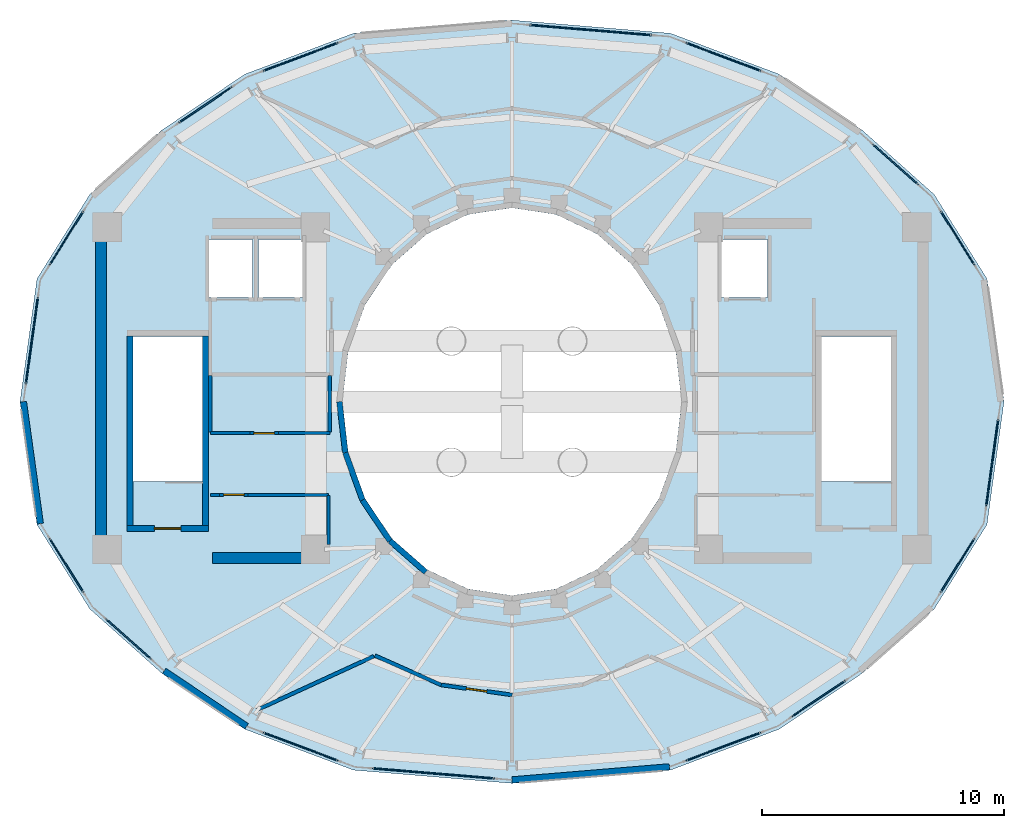
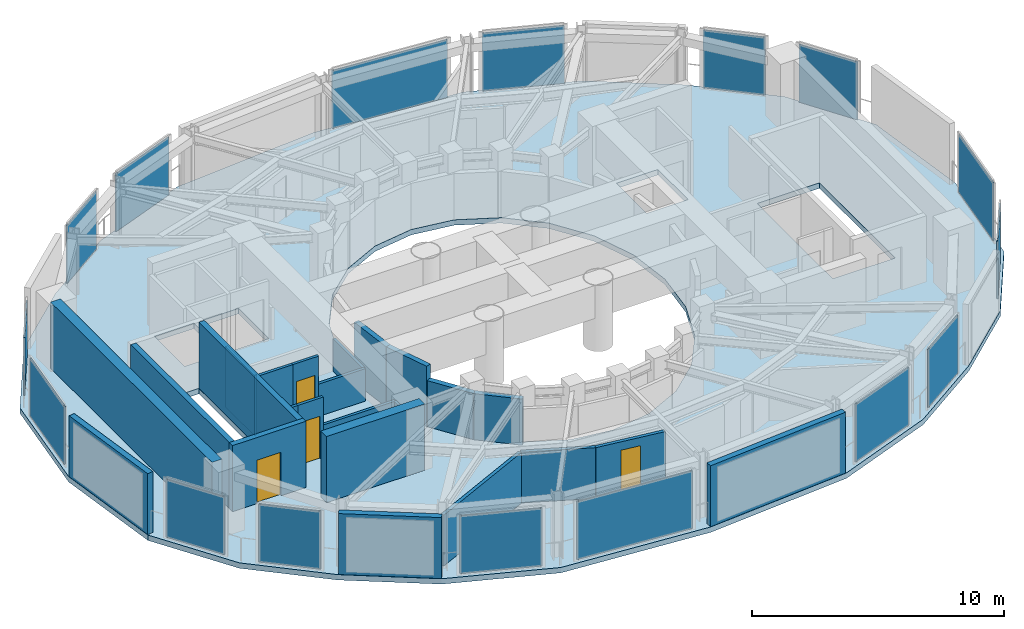
# One storey, part 14 of 17: 24 walls, 16 plates, 4 doors, 1 slab, 4 openings, 16 elements without a shape of their own.
"""IFC4 building model written with IfcOpenShell, lengths in metres."""

from ifc_helpers import new_model, si_unit, direction, frame, frame_2d, origin, origin_2d, place, context, subcontext, project, spatial, polyline, rectangle, outline, extrude, material, layer, layer_set, type_object, element, fill, aggregate, save


model = new_model("IFC4")

# Units and contexts
model_context = context("Model", 3, precision=1e-05, world=origin(), true_north=direction((0.0, 1.0)))
body_context = subcontext(model_context, "Body", "Model", "MODEL_VIEW")
ifc_project = project(units=[si_unit("LENGTHUNIT", "METRE"), si_unit("AREAUNIT", "SQUARE_METRE"), si_unit("VOLUMEUNIT", "CUBIC_METRE"), si_unit("PLANEANGLEUNIT", "RADIAN"), si_unit("MASSUNIT", "GRAM", prefix="KILO")], contexts=[model_context])

# Site, building, storey
site_placement = place(None, origin())
site = spatial("IfcSite", under=ifc_project, at=site_placement, CompositionType="ELEMENT")
building_placement = place(site_placement, origin())
building = spatial("IfcBuilding", under=site, at=building_placement, Name="Solvane Sanctuary Tower", CompositionType="ELEMENT")
storey_placement = place(building_placement, frame((0.0, 0.0, 276.39990234375)))
storey = spatial("IfcBuildingStorey", under=building, at=storey_placement, Name="L84", CompositionType="ELEMENT", Elevation=276.39990234375)

# Curtain wall, plate
ifc_material_1 = material(Name="Anodised Aluminium 6063-T6", Category="aluminium")
ifc_layer_1 = layer(ifc_material_1, 0.219970703125, Name="Anodised Aluminium 6063-T6")
ifc_layer_set_1 = layer_set([ifc_layer_1], Name="Anodised Aluminium 6063-T6")
curtain_wall_type = type_object("IfcCurtainWallType", Name="Curtain Wall CW-CROWN", PredefinedType="NOTDEFINED", material=ifc_layer_set_1)
curtain_wall_1_placement = place(storey_placement, origin())
curtain_wall_1 = element("IfcCurtainWall", 1, at=curtain_wall_1_placement, inside=storey, type_object=curtain_wall_type, Name="L84 Crown Fritted Lantern Curtain Wall 01", PredefinedType="NOTDEFINED")
ifc_material_2 = material(Name="Acoustic Spandrel Glass", Category="glass")
ifc_layer_2 = layer(ifc_material_2, 0.052001953125, Name="Acoustic Spandrel Glass")
ifc_layer_set_2 = layer_set([ifc_layer_2], Name="Acoustic Spandrel Glass")
plate_type = type_object("IfcPlateType", Name="Plate PN-SPANDREL", PredefinedType="CURTAIN_PANEL", material=ifc_layer_set_2)
plate_1_placement = place(storey_placement, frame((50.3828125, 29.750732421875, 0.0751953125), z_axis=(0.0, 0.0, 1.0), x_axis=(-0.531391439909, 0.847126400009, 0.0)))
plate_1 = element("IfcPlate", 2, at=plate_1_placement, type_object=plate_type, Name="CW-CROWN panel 1.1", PredefinedType="CURTAIN_PANEL", context=body_context, shape_type="SweptSolid", body=[
    extrude(rectangle(XDim=2.617919921875, YDim=0.052001953125, at=origin_2d()), origin(), (0.0, 0.0, 1.0), 2.800048828125),
])
aggregate(curtain_wall_1, [plate_1])

curtain_wall_2_placement = place(storey_placement, origin())
curtain_wall_2 = element("IfcCurtainWall", 3, at=curtain_wall_2_placement, inside=storey, type_object=curtain_wall_type, Name="L84 Crown Fritted Lantern Curtain Wall 02", PredefinedType="NOTDEFINED")
plate_2_placement = place(storey_placement, frame((47.824951171875, 32.789794921875, 0.0751953125), z_axis=(0.0, 0.0, 1.0), x_axis=(-0.746551067143, 0.665328117659, 0.0)))
plate_2 = element("IfcPlate", 4, at=plate_2_placement, type_object=plate_type, Name="CW-CROWN panel 1.1", PredefinedType="CURTAIN_PANEL", context=body_context, shape_type="SweptSolid", body=[
    extrude(rectangle(XDim=2.5068359375, YDim=0.052001953125, at=origin_2d()), origin(), (0.0, 0.0, 1.0), 2.800048828125),
])
aggregate(curtain_wall_2, [plate_2])

curtain_wall_3_placement = place(storey_placement, origin())
curtain_wall_3 = element("IfcCurtainWall", 5, at=curtain_wall_3_placement, inside=storey, type_object=curtain_wall_type, Name="L84 Crown Fritted Lantern Curtain Wall 04", PredefinedType="NOTDEFINED")
plate_3_placement = place(storey_placement, frame((40.72119140625, 37.229248046875, 0.0751953125), z_axis=(0.0, 0.0, 1.0), x_axis=(-0.936070873433, 0.351811483483, 0.0)))
plate_3 = element("IfcPlate", 6, at=plate_3_placement, type_object=plate_type, Name="CW-CROWN panel 1.1", PredefinedType="CURTAIN_PANEL", context=body_context, shape_type="SweptSolid", body=[
    extrude(rectangle(XDim=3.305908203125, YDim=0.052001953125, at=origin_2d()), origin(), (0.0, 0.0, 1.0), 2.800048828125),
])
aggregate(curtain_wall_3, [plate_3])

curtain_wall_4_placement = place(storey_placement, origin())
curtain_wall_4 = element("IfcCurtainWall", 7, at=curtain_wall_4_placement, inside=storey, type_object=curtain_wall_type, Name="L84 Crown Fritted Lantern Curtain Wall 05", PredefinedType="NOTDEFINED")
plate_4_placement = place(storey_placement, frame((35.24755859375, 38.33544921875, 0.0751953125), z_axis=(0.0, 0.0, 1.0), x_axis=(-0.996572801909, 0.082720314892, 0.0)))
plate_4 = element("IfcPlate", 8, at=plate_4_placement, type_object=plate_type, Name="CW-CROWN panel 1.1", PredefinedType="CURTAIN_PANEL", context=body_context, shape_type="SweptSolid", body=[
    extrude(rectangle(XDim=5.067626953125, YDim=0.052001953125, at=origin_2d()), origin(), (0.0, 0.0, 1.0), 2.800048828125),
])
aggregate(curtain_wall_4, [plate_4])

curtain_wall_5_placement = place(storey_placement, origin())
curtain_wall_5 = element("IfcCurtainWall", 9, at=curtain_wall_5_placement, inside=storey, type_object=curtain_wall_type, Name="L84 Crown Fritted Lantern Curtain Wall 07", PredefinedType="NOTDEFINED")
plate_5_placement = place(storey_placement, frame((23.27880859375, 37.229248046875, 0.0751953125), z_axis=(0.0, 0.0, 1.0), x_axis=(-0.936070873433, -0.351811483483, 0.0)))
plate_5 = element("IfcPlate", 10, at=plate_5_placement, type_object=plate_type, Name="CW-CROWN panel 1.1", PredefinedType="CURTAIN_PANEL", context=body_context, shape_type="SweptSolid", body=[
    extrude(rectangle(XDim=3.305908203125, YDim=0.052001953125, at=origin_2d()), origin(), (0.0, 0.0, 1.0), 2.800048828125),
])
aggregate(curtain_wall_5, [plate_5])

curtain_wall_6_placement = place(storey_placement, origin())
curtain_wall_6 = element("IfcCurtainWall", 11, at=curtain_wall_6_placement, inside=storey, type_object=curtain_wall_type, Name="L84 Crown Fritted Lantern Curtain Wall 08", PredefinedType="NOTDEFINED")
plate_6_placement = place(storey_placement, frame((19.3525390625, 35.249267578125, 0.0751953125), z_axis=(0.0, 0.0, 1.0), x_axis=(-0.829883084682, -0.557937331389, 0.0)))
plate_6 = element("IfcPlate", 12, at=plate_6_placement, type_object=plate_type, Name="CW-CROWN panel 1.1", PredefinedType="CURTAIN_PANEL", context=body_context, shape_type="SweptSolid", body=[
    extrude(rectangle(XDim=2.64794921875, YDim=0.052001953125, at=origin_2d()), origin(), (0.0, 0.0, 1.0), 2.800048828125),
])
aggregate(curtain_wall_6, [plate_6])

curtain_wall_7_placement = place(storey_placement, origin())
curtain_wall_7 = element("IfcCurtainWall", 13, at=curtain_wall_7_placement, inside=storey, type_object=curtain_wall_type, Name="L84 Crown Fritted Lantern Curtain Wall 10", PredefinedType="NOTDEFINED")
plate_7_placement = place(storey_placement, frame((13.6171875, 29.750732421875, 0.0751953125), z_axis=(0.0, 0.0, 1.0), x_axis=(-0.531391439909, -0.847126400009, 0.0)))
plate_7 = element("IfcPlate", 14, at=plate_7_placement, type_object=plate_type, Name="CW-CROWN panel 1.1", PredefinedType="CURTAIN_PANEL", context=body_context, shape_type="SweptSolid", body=[
    extrude(rectangle(XDim=2.617919921875, YDim=0.052001953125, at=origin_2d()), origin(), (0.0, 0.0, 1.0), 2.800048828125),
])
aggregate(curtain_wall_7, [plate_7])

curtain_wall_8_placement = place(storey_placement, origin())
curtain_wall_8 = element("IfcCurtainWall", 15, at=curtain_wall_8_placement, inside=storey, type_object=curtain_wall_type, Name="L84 Crown Fritted Lantern Curtain Wall 11", PredefinedType="NOTDEFINED")
plate_8_placement = place(storey_placement, frame((12.188232421875, 25.513916015625, 0.0751953125), z_axis=(0.0, 0.0, 1.0), x_axis=(-0.137222624725, -0.990540232027, 0.0)))
plate_8 = element("IfcPlate", 16, at=plate_8_placement, type_object=plate_type, Name="CW-CROWN panel 1.1", PredefinedType="CURTAIN_PANEL", context=body_context, shape_type="SweptSolid", body=[
    extrude(rectangle(XDim=3.625732421875, YDim=0.052001953125, at=origin_2d()), origin(), (0.0, 0.0, 1.0), 2.800048828125),
])
aggregate(curtain_wall_8, [plate_8])

curtain_wall_9_placement = place(storey_placement, origin())
curtain_wall_9 = element("IfcCurtainWall", 17, at=curtain_wall_9_placement, inside=storey, type_object=curtain_wall_type, Name="L84 Crown Fritted Lantern Curtain Wall 13", PredefinedType="NOTDEFINED")
plate_9_placement = place(storey_placement, frame((13.6171875, 16.249267578125, 0.0751953125), z_axis=(0.0, 0.0, 1.0), x_axis=(0.531391439909, -0.847126400009, 0.0)))
plate_9 = element("IfcPlate", 18, at=plate_9_placement, type_object=plate_type, Name="CW-CROWN panel 1.1", PredefinedType="CURTAIN_PANEL", context=body_context, shape_type="SweptSolid", body=[
    extrude(rectangle(XDim=2.617919921875, YDim=0.052001953125, at=origin_2d()), origin(), (0.0, 0.0, 1.0), 2.800048828125),
])
aggregate(curtain_wall_9, [plate_9])

curtain_wall_10_placement = place(storey_placement, origin())
curtain_wall_10 = element("IfcCurtainWall", 19, at=curtain_wall_10_placement, inside=storey, type_object=curtain_wall_type, Name="L84 Crown Fritted Lantern Curtain Wall 14", PredefinedType="NOTDEFINED")
plate_10_placement = place(storey_placement, frame((16.175048828125, 13.210205078125, 0.0751953125), z_axis=(0.0, 0.0, 1.0), x_axis=(0.746551067143, -0.665328117659, 0.0)))
plate_10 = element("IfcPlate", 20, at=plate_10_placement, type_object=plate_type, Name="CW-CROWN panel 1.1", PredefinedType="CURTAIN_PANEL", context=body_context, shape_type="SweptSolid", body=[
    extrude(rectangle(XDim=2.5068359375, YDim=0.052001953125, at=origin_2d()), origin(), (0.0, 0.0, 1.0), 2.800048828125),
])
aggregate(curtain_wall_10, [plate_10])

curtain_wall_11_placement = place(storey_placement, origin())
curtain_wall_11 = element("IfcCurtainWall", 21, at=curtain_wall_11_placement, inside=storey, type_object=curtain_wall_type, Name="L84 Crown Fritted Lantern Curtain Wall 16", PredefinedType="NOTDEFINED")
plate_11_placement = place(storey_placement, frame((23.27880859375, 8.770751953125, 0.0751953125), z_axis=(0.0, 0.0, 1.0), x_axis=(0.936070873433, -0.351811483483, 0.0)))
plate_11 = element("IfcPlate", 22, at=plate_11_placement, type_object=plate_type, Name="CW-CROWN panel 1.1", PredefinedType="CURTAIN_PANEL", context=body_context, shape_type="SweptSolid", body=[
    extrude(rectangle(XDim=3.305908203125, YDim=0.052001953125, at=origin_2d()), origin(), (0.0, 0.0, 1.0), 2.800048828125),
])
aggregate(curtain_wall_11, [plate_11])

curtain_wall_12_placement = place(storey_placement, origin())
curtain_wall_12 = element("IfcCurtainWall", 23, at=curtain_wall_12_placement, inside=storey, type_object=curtain_wall_type, Name="L84 Crown Fritted Lantern Curtain Wall 17", PredefinedType="NOTDEFINED")
plate_12_placement = place(storey_placement, frame((28.75244140625, 7.66455078125, 0.0751953125), z_axis=(0.0, 0.0, 1.0), x_axis=(0.996572801909, -0.082720314892, 0.0)))
plate_12 = element("IfcPlate", 24, at=plate_12_placement, type_object=plate_type, Name="CW-CROWN panel 1.1", PredefinedType="CURTAIN_PANEL", context=body_context, shape_type="SweptSolid", body=[
    extrude(rectangle(XDim=5.067626953125, YDim=0.052001953125, at=origin_2d()), origin(), (0.0, 0.0, 1.0), 2.800048828125),
])
aggregate(curtain_wall_12, [plate_12])

curtain_wall_13_placement = place(storey_placement, origin())
curtain_wall_13 = element("IfcCurtainWall", 25, at=curtain_wall_13_placement, inside=storey, type_object=curtain_wall_type, Name="L84 Crown Fritted Lantern Curtain Wall 19", PredefinedType="NOTDEFINED")
plate_13_placement = place(storey_placement, frame((40.72119140625, 8.770751953125, 0.0751953125), z_axis=(0.0, 0.0, 1.0), x_axis=(0.936070873433, 0.351811483483, 0.0)))
plate_13 = element("IfcPlate", 26, at=plate_13_placement, type_object=plate_type, Name="CW-CROWN panel 1.1", PredefinedType="CURTAIN_PANEL", context=body_context, shape_type="SweptSolid", body=[
    extrude(rectangle(XDim=3.305908203125, YDim=0.052001953125, at=origin_2d()), origin(), (0.0, 0.0, 1.0), 2.800048828125),
])
aggregate(curtain_wall_13, [plate_13])

curtain_wall_14_placement = place(storey_placement, origin())
curtain_wall_14 = element("IfcCurtainWall", 27, at=curtain_wall_14_placement, inside=storey, type_object=curtain_wall_type, Name="L84 Crown Fritted Lantern Curtain Wall 20", PredefinedType="NOTDEFINED")
plate_14_placement = place(storey_placement, frame((44.6474609375, 10.750732421875, 0.0751953125), z_axis=(0.0, 0.0, 1.0), x_axis=(0.829883084682, 0.557937331389, 0.0)))
plate_14 = element("IfcPlate", 28, at=plate_14_placement, type_object=plate_type, Name="CW-CROWN panel 1.1", PredefinedType="CURTAIN_PANEL", context=body_context, shape_type="SweptSolid", body=[
    extrude(rectangle(XDim=2.64794921875, YDim=0.052001953125, at=origin_2d()), origin(), (0.0, 0.0, 1.0), 2.800048828125),
])
aggregate(curtain_wall_14, [plate_14])

curtain_wall_15_placement = place(storey_placement, origin())
curtain_wall_15 = element("IfcCurtainWall", 29, at=curtain_wall_15_placement, inside=storey, type_object=curtain_wall_type, Name="L84 Crown Fritted Lantern Curtain Wall 22", PredefinedType="NOTDEFINED")
plate_15_placement = place(storey_placement, frame((50.3828125, 16.249267578125, 0.0751953125), z_axis=(0.0, 0.0, 1.0), x_axis=(0.531391439909, 0.847126400009, 0.0)))
plate_15 = element("IfcPlate", 30, at=plate_15_placement, type_object=plate_type, Name="CW-CROWN panel 1.1", PredefinedType="CURTAIN_PANEL", context=body_context, shape_type="SweptSolid", body=[
    extrude(rectangle(XDim=2.617919921875, YDim=0.052001953125, at=origin_2d()), origin(), (0.0, 0.0, 1.0), 2.800048828125),
])
aggregate(curtain_wall_15, [plate_15])

curtain_wall_16_placement = place(storey_placement, origin())
curtain_wall_16 = element("IfcCurtainWall", 31, at=curtain_wall_16_placement, inside=storey, type_object=curtain_wall_type, Name="L84 Crown Fritted Lantern Curtain Wall 23", PredefinedType="NOTDEFINED")
plate_16_placement = place(storey_placement, frame((51.811767578125, 20.486083984375, 0.0751953125), z_axis=(0.0, 0.0, 1.0), x_axis=(0.137222624725, 0.990540232027, 0.0)))
plate_16 = element("IfcPlate", 32, at=plate_16_placement, type_object=plate_type, Name="CW-CROWN panel 1.1", PredefinedType="CURTAIN_PANEL", context=body_context, shape_type="SweptSolid", body=[
    extrude(rectangle(XDim=3.625732421875, YDim=0.052001953125, at=origin_2d()), origin(), (0.0, 0.0, 1.0), 2.800048828125),
])
aggregate(curtain_wall_16, [plate_16])

# Slab
ifc_material_3 = material(Name="Concrete C50/60", Category="concrete")
ifc_layer_3 = layer(ifc_material_3, 0.260009765625, Name="Concrete C50/60")
ifc_layer_set_3 = layer_set([ifc_layer_3], Name="Concrete C50/60")
slab_type = type_object("IfcSlabType", Name="Slab SL-CROWN-260", PredefinedType="FLOOR", material=ifc_layer_set_3)
slab_placement = place(storey_placement, frame((0.0, 0.0, -0.260009765625)))
element("IfcSlab", 33, at=slab_placement, inside=storey, type_object=slab_type, Name="L84 Primary Structural Slab", PredefinedType="FLOOR", context=body_context, shape_type="SweptSolid", body=[
    extrude(outline(polyline([(52.300048828125, 23.0), (51.5986328125, 28.07275390625), (49.422119140625, 31.549560546875), (46.447509765625, 34.205810546875), (43.02294921875, 36.5126953125), (38.540283203125, 38.200927734375), (32.0, 38.7451171875), (25.459716796875, 38.200927734375), (20.97705078125, 36.5126953125), (17.552490234375, 34.205810546875), (14.577880859375, 31.549560546875), (12.4013671875, 28.07275390625), (11.699951171875, 23.0), (12.4013671875, 17.92724609375), (14.577880859375, 14.450439453125), (17.552490234375, 11.794189453125), (20.97705078125, 9.4873046875), (25.459716796875, 7.799072265625), (32.0, 7.2548828125), (38.540283203125, 7.799072265625), (43.02294921875, 9.4873046875), (46.447509765625, 11.794189453125), (49.422119140625, 14.450439453125), (51.5986328125, 17.92724609375), (52.300048828125, 23.0)]), holes=[polyline([(38.761474609375, 20.929443359375), (38.062255859375, 19.0), (36.94970703125, 17.343017578125), (35.5, 16.07177734375), (33.811767578125, 15.272705078125), (32.0, 15.0), (30.188232421875, 15.272705078125), (28.5, 16.07177734375), (27.05029296875, 17.343017578125), (25.937744140625, 19.0), (25.238525390625, 20.929443359375), (25.0, 23.0), (25.238525390625, 25.070556640625), (25.937744140625, 27.0), (27.05029296875, 28.656982421875), (28.5, 29.92822265625), (30.188232421875, 30.727294921875), (32.0, 31.0), (33.811767578125, 30.727294921875), (35.5, 29.92822265625), (36.94970703125, 28.656982421875), (38.062255859375, 27.0), (38.761474609375, 25.070556640625), (39.0, 23.0), (38.761474609375, 20.929443359375)]), polyline([(16.360107421875, 19.699951171875), (16.360107421875, 25.699951171875), (19.219970703125, 25.699951171875), (19.219970703125, 19.699951171875), (16.360107421875, 19.699951171875)]), polyline([(44.780029296875, 19.699951171875), (44.780029296875, 25.699951171875), (47.639892578125, 25.699951171875), (47.639892578125, 19.699951171875), (44.780029296875, 19.699951171875)]), polyline([(19.5, 29.699951171875), (21.300048828125, 29.699951171875), (21.300048828125, 27.300048828125), (19.5, 27.300048828125), (19.5, 29.699951171875)]), polyline([(21.550048828125, 29.699951171875), (23.35009765625, 29.699951171875), (23.35009765625, 27.300048828125), (21.550048828125, 27.300048828125), (21.550048828125, 29.699951171875)]), polyline([(40.64990234375, 29.699951171875), (42.550048828125, 29.699951171875), (42.550048828125, 27.300048828125), (40.64990234375, 27.300048828125), (40.64990234375, 29.699951171875)])]), origin(), (0.0, 0.0, 1.0), 0.260009765625),
])

# Walls
ifc_layer_4 = layer(ifc_material_3, 0.449951171875, Name="Concrete C50/60")
ifc_layer_set_4 = layer_set([ifc_layer_4], Name="Concrete C50/60")
wall_type_1 = type_object("IfcWallType", Name="Wall W-CORE-450", PredefinedType="SHEAR", material=ifc_layer_set_4)
wall_1_placement = place(storey_placement, frame((15.050048828125, 17.050048828125, 0.0), z_axis=(0.0, 0.0, 1.0), x_axis=(0.0, 1.0, 0.0)))
element("IfcWall", 34, at=wall_1_placement, inside=storey, type_object=wall_type_1, Name="L84 Core Shear Wall WC-W", PredefinedType="SHEAR", context=body_context, shape_type="SweptSolid", body=[
    extrude(rectangle(XDim=12.800048828125, YDim=0.449951171875, at=frame_2d((6.39990234375, 0.0))), origin(), (0.0, 0.0, 1.0), 3.2001953125),
])
wall_2_placement = place(storey_placement, frame((19.64990234375, 16.550048828125, 0.0), z_axis=(0.0, 0.0, 1.0), x_axis=(1.0, 0.0, 0.0)))
element("IfcWall", 35, at=wall_2_placement, inside=storey, type_object=wall_type_1, Name="L84 Core Shear Wall WC-S", PredefinedType="SHEAR", context=body_context, shape_type="SweptSolid", body=[
    extrude(rectangle(XDim=4.5, YDim=0.449951171875, at=frame_2d((2.25, 0.0))), origin(), (0.0, 0.0, 1.0), 3.2001953125),
])
ifc_material_4 = material(Name="Acoustic Gypsum Partition Board")
ifc_layer_5 = layer(ifc_material_4, 0.14990234375, Name="Acoustic Gypsum Partition Board")
ifc_layer_set_5 = layer_set([ifc_layer_5], Name="Acoustic Gypsum Partition Board")
wall_type_2 = type_object("IfcWallType", Name="Wall W-CORR-150", PredefinedType="PARTITIONING", material=ifc_layer_set_5)
wall_3_placement = place(storey_placement, frame((26.300048828125, 12.498046875, 0.0), z_axis=(0.0, 0.0, 1.0), x_axis=(-0.908705087361, -0.417438695144, 0.0)))
element("IfcWall", 36, at=wall_3_placement, inside=storey, type_object=wall_type_2, Name="L84 Mechanical Plant Radial Wall 240", PredefinedType="PARTITIONING", context=body_context, shape_type="SweptSolid", body=[
    extrude(rectangle(XDim=5.3173828125, YDim=0.14990234375, at=frame_2d((2.65869140625, 0.0))), origin(), (0.0, 0.0, 1.0), 2.455078125),
])
wall_4_placement = place(storey_placement, frame((26.34326171875, 12.525390625, 0.0), z_axis=(0.0, 0.0, 1.0), x_axis=(0.913989848226, -0.405737054432, 0.0)))
element("IfcWall", 37, at=wall_4_placement, inside=storey, type_object=wall_type_2, Name="L84 Plant Corridor Wall 4", PredefinedType="PARTITIONING", context=body_context, shape_type="SweptSolid", body=[
    extrude(rectangle(XDim=2.9912109375, YDim=0.14990234375, at=frame_2d((1.49560546875, 0.0))), origin(), (0.0, 0.0, 1.0), 2.455078125),
])

# Wall, opening, door
wall_5_placement = place(storey_placement, frame((29.073486328125, 11.312744140625, 0.0), z_axis=(0.0, 0.0, 1.0), x_axis=(0.990247167887, -0.139321737324, 0.0)))
wall_5 = element("IfcWall", 38, at=wall_5_placement, inside=storey, type_object=wall_type_2, Name="L84 Plant Corridor Wall 4", PredefinedType="PARTITIONING", context=body_context, shape_type="SweptSolid", body=[
    extrude(rectangle(XDim=2.963134765625, YDim=0.14990234375, at=frame_2d((1.4814453125, 0.0))), origin(), (0.0, 0.0, 1.0), 2.455078125),
])
opening_1_placement = place(wall_5_placement, frame((1.056640625, 0.0, 0.0)))
opening_1 = element("IfcOpeningElement", 39, at=opening_1_placement, cuts=wall_5, Name="Opening D-L84-12", PredefinedType="OPENING", context=body_context, shape_type="SweptSolid", body=[
    extrude(rectangle(XDim=0.85009765625, YDim=2.050048828125, at=frame_2d((0.425048828125, 1.02490234375))), frame((0.0, 0.0849609375, 0.0), z_axis=(0.0, -1.0, 0.0), x_axis=(1.0, 0.0, 0.0)), (0.0, 0.0, 1.0), 0.169921875),
])
ifc_material_5 = material(Name="Architectural Stainless Steel 316", Category="steel")
door_type_1 = type_object("IfcDoorType", Name="Door D-RISER", OperationType="NOTDEFINED", PredefinedType="DOOR", material=ifc_material_5)
door_1_placement = place(opening_1_placement, origin())
door_1 = element("IfcDoor", 40, at=door_1_placement, inside=storey, type_object=door_type_1, Name="L84 Plant Room Door 4", OperationType="SINGLE_SWING_LEFT", OverallHeight=2.050048828125, OverallWidth=0.85009765625, PredefinedType="DOOR", context=body_context, shape_type="SweptSolid", body=[
    extrude(rectangle(XDim=0.85009765625, YDim=2.050048828125, at=frame_2d((0.425048828125, 1.02490234375))), frame((0.0, 0.02490234375, 0.0), z_axis=(0.0, -1.0, 0.0), x_axis=(1.0, 0.0, 0.0)), (0.0, 0.0, 1.0), 0.050048828125),
])
fill(opening_1, door_1)

# Walls
ifc_material_6 = material(Name="Precast concrete C40/50", Category="concrete")
ifc_layer_6 = layer(ifc_material_6, 0.260009765625, Name="Precast concrete C40/50")
ifc_layer_set_6 = layer_set([ifc_layer_6], Name="Precast concrete C40/50")
wall_type_3 = type_object("IfcWallType", Name="Wall W-EXT-250", PredefinedType="STANDARD", material=ifc_layer_set_6)
wall_6_placement = place(storey_placement, frame((11.840087890625, 23.0, 0.0), z_axis=(0.0, 0.0, 1.0), x_axis=(0.137231475917, -0.990539005803, 0.0)))
element("IfcWall", 41, at=wall_6_placement, inside=storey, type_object=wall_type_3, Name="L84 Crown Acoustic Louvred Wall 12", PredefinedType="STANDARD", context=body_context, shape_type="SweptSolid", body=[
    extrude(rectangle(XDim=5.07568359375, YDim=0.260009765625, at=frame_2d((2.537841796875, 0.0))), origin(), (0.0, 0.0, 1.0), 2.9501953125),
])
wall_7_placement = place(storey_placement, frame((17.652099609375, 11.893798828125, 0.0), z_axis=(0.0, 0.0, 1.0), x_axis=(0.829890129343, -0.557926852929, 0.0)))
element("IfcWall", 42, at=wall_7_placement, inside=storey, type_object=wall_type_3, Name="L84 Crown Acoustic Louvred Wall 15", PredefinedType="STANDARD", context=body_context, shape_type="SweptSolid", body=[
    extrude(rectangle(XDim=4.097900390625, YDim=0.260009765625, at=frame_2d((2.048828125, 0.0))), origin(), (0.0, 0.0, 1.0), 2.9501953125),
])
wall_8_placement = place(storey_placement, frame((32.0, 7.39501953125, 0.0), z_axis=(0.0, 0.0, 1.0), x_axis=(0.996573859149, 0.082707576809, 0.0)))
element("IfcWall", 43, at=wall_8_placement, inside=storey, type_object=wall_type_3, Name="L84 Crown Acoustic Louvred Wall 18", PredefinedType="STANDARD", context=body_context, shape_type="SweptSolid", body=[
    extrude(rectangle(XDim=6.517578125, YDim=0.260009765625, at=frame_2d((3.2587890625, 0.0))), origin(), (0.0, 0.0, 1.0), 2.9501953125),
])
ifc_layer_7 = layer(ifc_material_6, 0.22998046875, Name="Precast concrete C40/50")
ifc_layer_set_7 = layer_set([ifc_layer_7], Name="Precast concrete C40/50")
wall_type_4 = type_object("IfcWallType", Name="Wall W-EXT-SP220", PredefinedType="STANDARD", material=ifc_layer_set_7)
wall_9_placement = place(storey_placement, frame((24.8798828125, 23.0, 0.0), z_axis=(0.0, 0.0, 1.0), x_axis=(0.114711713601, -0.993398823617, 0.0)))
element("IfcWall", 44, at=wall_9_placement, inside=storey, type_object=wall_type_4, Name="L84 Central Light-Well Wall 12", PredefinedType="STANDARD", context=body_context, shape_type="SweptSolid", body=[
    extrude(rectangle(XDim=2.115478515625, YDim=0.22998046875, at=frame_2d((1.0576171875, 0.0))), origin(), (0.0, 0.0, 1.0), 2.91015625),
])
wall_10_placement = place(storey_placement, frame((25.12255859375, 20.8984375, 0.0), z_axis=(0.0, 0.0, 1.0), x_axis=(0.341423187295, -0.93990968033, 0.0)))
element("IfcWall", 45, at=wall_10_placement, inside=storey, type_object=wall_type_4, Name="L84 Central Light-Well Wall 13", PredefinedType="STANDARD", context=body_context, shape_type="SweptSolid", body=[
    extrude(rectangle(XDim=2.083740234375, YDim=0.22998046875, at=frame_2d((1.0419921875, 0.0))), origin(), (0.0, 0.0, 1.0), 2.91015625),
])
wall_11_placement = place(storey_placement, frame((25.833984375, 18.93994140625, 0.0), z_axis=(0.0, 0.0, 1.0), x_axis=(0.558197800898, -0.829707909492, 0.0)))
element("IfcWall", 46, at=wall_11_placement, inside=storey, type_object=wall_type_4, Name="L84 Central Light-Well Wall 14", PredefinedType="STANDARD", context=body_context, shape_type="SweptSolid", body=[
    extrude(rectangle(XDim=2.02685546875, YDim=0.22998046875, at=frame_2d((1.013427734375, 0.0))), origin(), (0.0, 0.0, 1.0), 2.22998046875),
])
wall_12_placement = place(storey_placement, frame((26.96533203125, 17.25830078125, 0.0), z_axis=(0.0, 0.0, 1.0), x_axis=(0.752576694707, -0.658504607869, 0.0)))
element("IfcWall", 47, at=wall_12_placement, inside=storey, type_object=wall_type_4, Name="L84 Central Light-Well Wall 15", PredefinedType="STANDARD", context=body_context, shape_type="SweptSolid", body=[
    extrude(rectangle(XDim=1.95947265625, YDim=0.22998046875, at=frame_2d((0.979736328125, 0.0))), origin(), (0.0, 0.0, 1.0), 2.22998046875),
])
ifc_layer_8 = layer(ifc_material_4, 0.125, Name="Acoustic Gypsum Partition Board")
ifc_layer_set_8 = layer_set([ifc_layer_8], Name="Acoustic Gypsum Partition Board")
wall_type_5 = type_object("IfcWallType", Name="Wall W-PART-125", PredefinedType="PARTITIONING", material=ifc_layer_set_8)
wall_13_placement = place(storey_placement, frame((19.550048828125, 19.159912109375, 0.0), z_axis=(0.0, 0.0, 1.0), x_axis=(1.0, 0.0, 0.0)))
element("IfcWall", 48, at=wall_13_placement, inside=storey, type_object=wall_type_5, Name="L84 Reclaimed Room Partition PLW", PredefinedType="PARTITIONING", context=body_context, shape_type="SweptSolid", body=[
    extrude(rectangle(XDim=0.389892578125, YDim=0.125, at=frame_2d((0.19482421875, 0.0))), origin(), (0.0, 0.0, 1.0), 2.925048828125),
])

# Wall, opening, door
wall_14_placement = place(storey_placement, frame((19.93994140625, 19.159912109375, 0.0), z_axis=(0.0, 0.0, 1.0), x_axis=(1.0, 0.0, 0.0)))
wall_14 = element("IfcWall", 49, at=wall_14_placement, inside=storey, type_object=wall_type_5, Name="L84 Reclaimed Room Partition PLW", PredefinedType="PARTITIONING", context=body_context, shape_type="SweptSolid", body=[
    extrude(rectangle(XDim=1.170166015625, YDim=0.125, at=frame_2d((0.5849609375, 0.0))), origin(), (0.0, 0.0, 1.0), 2.925048828125),
])
opening_2_placement = place(wall_14_placement, frame((0.159912109375, 0.0, 0.0)))
opening_2 = element("IfcOpeningElement", 50, at=opening_2_placement, cuts=wall_14, Name="Opening D-L84-05", PredefinedType="OPENING", context=body_context, shape_type="SweptSolid", body=[
    extrude(rectangle(XDim=0.85009765625, YDim=2.050048828125, at=frame_2d((0.425048828125, 1.02490234375))), frame((0.0, 0.072509765625, 0.0), z_axis=(0.0, -1.0, 0.0), x_axis=(1.0, 0.0, 0.0)), (0.0, 0.0, 1.0), 0.14501953125),
])
door_2_placement = place(opening_2_placement, origin())
door_2 = element("IfcDoor", 51, at=door_2_placement, inside=storey, type_object=door_type_1, Name="L84 Reclaimed Room Door PLW-1", OperationType="SINGLE_SWING_RIGHT", OverallHeight=2.050048828125, OverallWidth=0.85009765625, PredefinedType="DOOR", context=body_context, shape_type="SweptSolid", body=[
    extrude(rectangle(XDim=0.85009765625, YDim=2.050048828125, at=frame_2d((0.425048828125, 1.02490234375))), frame((0.0, 0.02490234375, 0.0), z_axis=(0.0, -1.0, 0.0), x_axis=(1.0, 0.0, 0.0)), (0.0, 0.0, 1.0), 0.050048828125),
])
fill(opening_2, door_2)

# Walls
wall_15_placement = place(storey_placement, frame((21.110107421875, 19.159912109375, 0.0), z_axis=(0.0, 0.0, 1.0), x_axis=(1.0, 0.0, 0.0)))
element("IfcWall", 52, at=wall_15_placement, inside=storey, type_object=wall_type_5, Name="L84 Reclaimed Room Partition PLW", PredefinedType="PARTITIONING", context=body_context, shape_type="SweptSolid", body=[
    extrude(rectangle(XDim=3.309814453125, YDim=0.125, at=frame_2d((1.65478515625, 0.0))), origin(), (0.0, 0.0, 1.0), 1.570068359375),
])
wall_16_placement = place(storey_placement, frame((24.419921875, 17.10009765625, 0.0), z_axis=(0.0, 0.0, 1.0), x_axis=(0.0, 1.0, 0.0)))
element("IfcWall", 53, at=wall_16_placement, inside=storey, type_object=wall_type_5, Name="L84 Reclaimed Room Closer Wall PLW-1", PredefinedType="PARTITIONING", context=body_context, shape_type="SweptSolid", body=[
    extrude(rectangle(XDim=2.039794921875, YDim=0.125, at=frame_2d((1.02001953125, 0.0))), origin(), (0.0, 0.0, 1.0), 1.570068359375),
])
wall_17_placement = place(storey_placement, frame((19.550048828125, 21.699951171875, 0.0), z_axis=(0.0, 0.0, 1.0), x_axis=(1.0, 0.0, 0.0)))
element("IfcWall", 54, at=wall_17_placement, inside=storey, type_object=wall_type_5, Name="L84 Reclaimed Room Partition PMW", PredefinedType="PARTITIONING", context=body_context, shape_type="SweptSolid", body=[
    extrude(rectangle(XDim=1.639892578125, YDim=0.125, at=frame_2d((0.81982421875, 0.0))), origin(), (0.0, 0.0, 1.0), 2.925048828125),
])

# Wall, opening, door
wall_18_placement = place(storey_placement, frame((21.18994140625, 21.699951171875, 0.0), z_axis=(0.0, 0.0, 1.0), x_axis=(1.0, 0.0, 0.0)))
wall_18 = element("IfcWall", 55, at=wall_18_placement, inside=storey, type_object=wall_type_5, Name="L84 Reclaimed Room Partition PMW", PredefinedType="PARTITIONING", context=body_context, shape_type="SweptSolid", body=[
    extrude(rectangle(XDim=1.170166015625, YDim=0.125, at=frame_2d((0.5849609375, 0.0))), origin(), (0.0, 0.0, 1.0), 2.925048828125),
])
opening_3_placement = place(wall_18_placement, frame((0.159912109375, 0.0, 0.0)))
opening_3 = element("IfcOpeningElement", 56, at=opening_3_placement, cuts=wall_18, Name="Opening D-L84-07", PredefinedType="OPENING", context=body_context, shape_type="SweptSolid", body=[
    extrude(rectangle(XDim=0.85009765625, YDim=2.050048828125, at=frame_2d((0.425048828125, 1.02490234375))), frame((0.0, 0.072509765625, 0.0), z_axis=(0.0, -1.0, 0.0), x_axis=(1.0, 0.0, 0.0)), (0.0, 0.0, 1.0), 0.14501953125),
])
door_3_placement = place(opening_3_placement, origin())
door_3 = element("IfcDoor", 57, at=door_3_placement, inside=storey, type_object=door_type_1, Name="L84 Reclaimed Room Door PMW-1", OperationType="SINGLE_SWING_RIGHT", OverallHeight=2.050048828125, OverallWidth=0.85009765625, PredefinedType="DOOR", context=body_context, shape_type="SweptSolid", body=[
    extrude(rectangle(XDim=0.85009765625, YDim=2.050048828125, at=frame_2d((0.425048828125, 1.02490234375))), frame((0.0, 0.02490234375, 0.0), z_axis=(0.0, -1.0, 0.0), x_axis=(1.0, 0.0, 0.0)), (0.0, 0.0, 1.0), 0.050048828125),
])
fill(opening_3, door_3)

# Walls
wall_19_placement = place(storey_placement, frame((22.360107421875, 21.699951171875, 0.0), z_axis=(0.0, 0.0, 1.0), x_axis=(1.0, 0.0, 0.0)))
element("IfcWall", 58, at=wall_19_placement, inside=storey, type_object=wall_type_5, Name="L84 Reclaimed Room Partition PMW", PredefinedType="PARTITIONING", context=body_context, shape_type="SweptSolid", body=[
    extrude(rectangle(XDim=2.139892578125, YDim=0.125, at=frame_2d((1.06982421875, 0.0))), origin(), (0.0, 0.0, 1.0), 1.570068359375),
])
wall_20_placement = place(storey_placement, frame((19.550048828125, 21.760009765625, 0.0), z_axis=(0.0, 0.0, 1.0), x_axis=(0.0, 1.0, 0.0)))
element("IfcWall", 59, at=wall_20_placement, inside=storey, type_object=wall_type_5, Name="L84 Reclaimed Room Closer Wall PMW-1", PredefinedType="PARTITIONING", context=body_context, shape_type="SweptSolid", body=[
    extrude(rectangle(XDim=2.320068359375, YDim=0.125, at=frame_2d((1.16015625, 0.0))), origin(), (0.0, 0.0, 1.0), 2.925048828125),
])
wall_21_placement = place(storey_placement, frame((24.47998046875, 21.760009765625, 0.0), z_axis=(0.0, 0.0, 1.0), x_axis=(0.0, 1.0, 0.0)))
element("IfcWall", 60, at=wall_21_placement, inside=storey, type_object=wall_type_5, Name="L84 Reclaimed Room Closer Wall PMW-2", PredefinedType="PARTITIONING", context=body_context, shape_type="SweptSolid", body=[
    extrude(rectangle(XDim=2.320068359375, YDim=0.125, at=frame_2d((1.16015625, 0.0))), origin(), (0.0, 0.0, 1.0), 1.570068359375),
])

# Wall, opening, door
ifc_layer_9 = layer(ifc_material_3, 0.25, Name="Concrete C50/60")
ifc_layer_set_9 = layer_set([ifc_layer_9], Name="Concrete C50/60")
wall_type_6 = type_object("IfcWallType", Name="Wall W-SHAFT-250", PredefinedType="SOLIDWALL", material=ifc_layer_set_9)
wall_22_placement = place(storey_placement, frame((16.10498046875, 17.77001953125, 0.0), z_axis=(0.0, 0.0, 1.0), x_axis=(1.0, 0.0, 0.0)))
wall_22 = element("IfcWall", 61, at=wall_22_placement, inside=storey, type_object=wall_type_6, Name="L84 ST-1 Load-Bearing Shaft Wall S", PredefinedType="SOLIDWALL", context=body_context, shape_type="SweptSolid", body=[
    extrude(rectangle(XDim=3.3701171875, YDim=0.25, at=frame_2d((1.68505859375, 0.0))), origin(), (0.0, 0.0, 1.0), 3.2001953125),
])
opening_4_placement = place(wall_22_placement, frame((1.135009765625, 0.0, 0.0)))
opening_4 = element("IfcOpeningElement", 62, at=opening_4_placement, cuts=wall_22, Name="Opening D-L84-01", PredefinedType="OPENING", context=body_context, shape_type="SweptSolid", body=[
    extrude(rectangle(XDim=1.10009765625, YDim=2.10009765625, at=frame_2d((0.550048828125, 1.050048828125))), frame((0.0, 0.135009765625, 0.0), z_axis=(0.0, -1.0, 0.0), x_axis=(1.0, 0.0, 0.0)), (0.0, 0.0, 1.0), 0.27001953125),
])
door_type_2 = type_object("IfcDoorType", Name="Door D-STAIR", OperationType="NOTDEFINED", PredefinedType="DOOR", material=ifc_material_5)
door_4_placement = place(opening_4_placement, origin())
door_4 = element("IfcDoor", 63, at=door_4_placement, inside=storey, type_object=door_type_2, Name="L84 ST-1 Exit Stair Fire Door", OperationType="SINGLE_SWING_LEFT", OverallHeight=2.10009765625, OverallWidth=1.10009765625, PredefinedType="DOOR", context=body_context, shape_type="SweptSolid", body=[
    extrude(rectangle(XDim=1.10009765625, YDim=2.10009765625, at=frame_2d((0.550048828125, 1.050048828125))), frame((0.0, 0.02490234375, 0.0), z_axis=(0.0, -1.0, 0.0), x_axis=(1.0, 0.0, 0.0)), (0.0, 0.0, 1.0), 0.050048828125),
])
fill(opening_4, door_4)

# Walls
for number, where, z_axis, x_axis, name in (
    (64, (16.22998046875, 17.89501953125, 0.0), (0.0, 0.0, 1.0), (0.0, 1.0, 0.0), "L84 ST-1 Load-Bearing Shaft Wall W"),
    (65, (19.35009765625, 17.89501953125, 0.0), (0.0, 0.0, 1.0), (0.0, 1.0, 0.0), "L84 ST-1 Load-Bearing Shaft Wall E"),
):
    element("IfcWall", number, at=place(storey_placement, frame(where, z_axis=z_axis, x_axis=x_axis)), inside=storey, type_object=wall_type_6, Name=name, PredefinedType="SOLIDWALL", context=body_context, shape_type="SweptSolid", body=[
        extrude(rectangle(XDim=7.81005859375, YDim=0.25, at=frame_2d((3.905029296875, 0.0))), origin(), (0.0, 0.0, 1.0), 3.2001953125),
    ])

save(model, "model.ifc")
